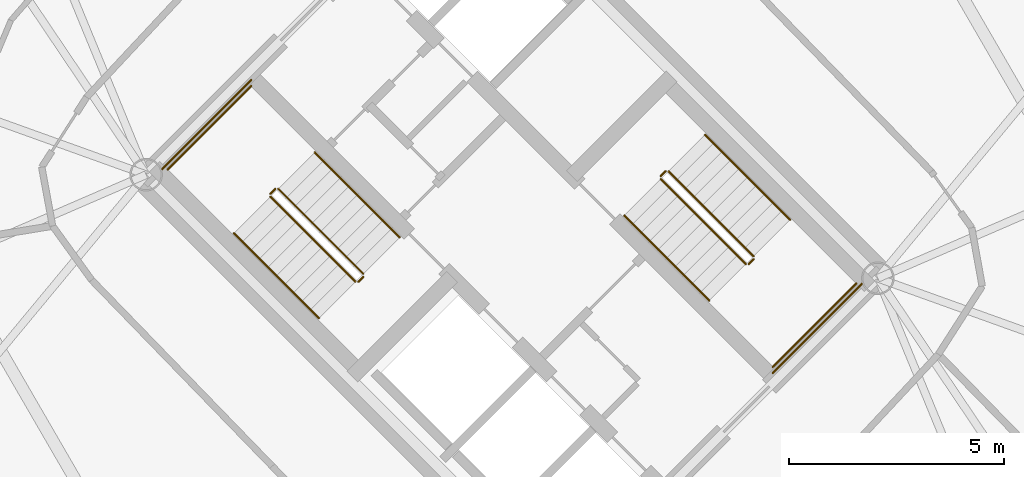
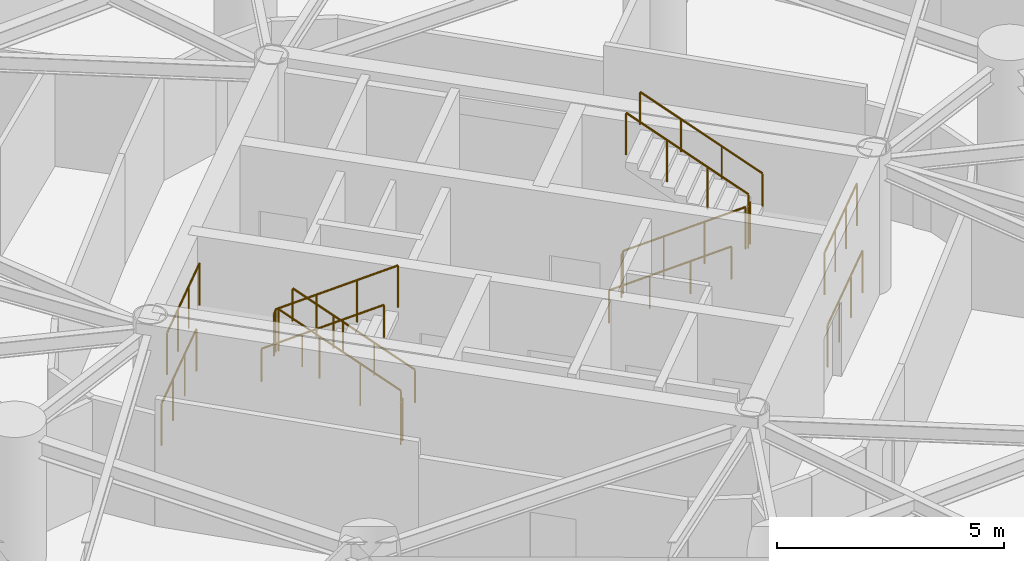
# One storey, part 17 of 17: 16 railings.
"""IFC4 building model written with IfcOpenShell, lengths in metres."""

from ifc_helpers import new_model, si_unit, direction, frame, origin, origin_2d, place, context, subcontext, project, spatial, circle, extrude, material, type_object, element, save


model = new_model("IFC4")

# Units and contexts
model_context = context("Model", 3, precision=1e-05, world=origin(), true_north=direction((0.0, 1.0)))
body_context = subcontext(model_context, "Body", "Model", "MODEL_VIEW")
ifc_project = project(units=[si_unit("LENGTHUNIT", "METRE"), si_unit("AREAUNIT", "SQUARE_METRE"), si_unit("VOLUMEUNIT", "CUBIC_METRE"), si_unit("PLANEANGLEUNIT", "RADIAN"), si_unit("MASSUNIT", "GRAM", prefix="KILO")], contexts=[model_context])

# Site, building, storey
site_placement = place(None, origin())
site = spatial("IfcSite", under=ifc_project, at=site_placement, CompositionType="ELEMENT")
building_placement = place(site_placement, origin())
building = spatial("IfcBuilding", under=site, at=building_placement, Name="Cununo Teusaquillo Station Towers", CompositionType="ELEMENT")
storey_placement = place(building_placement, frame((0.0, 0.0, 125.43994140625)))
storey = spatial("IfcBuildingStorey", under=building, at=storey_placement, Name="L40", CompositionType="ELEMENT", Elevation=125.43994140625)

# Railings
ifc_material_1 = material(Name="Steel EN 10025-2 S355J2", Category="steel")
railing_type_1 = type_object("IfcRailingType", Name="RL-INT-GUARD", PredefinedType="GUARDRAIL", material=ifc_material_1)
railing_1_placement = place(storey_placement, frame((54.03515625, 23.39697265625, 0.169189453125)))
element("IfcRailing", 1, at=railing_1_placement, inside=storey, type_object=railing_type_1, Name="L40 ST-T2-1 stair guard 1", PredefinedType="GUARDRAIL", context=body_context, shape_type="SweptSolid", body=[
    extrude(circle(Radius=0.02392578125, at=origin_2d()), frame((0.0, 0.0, 1.1259765625), z_axis=(-0.60528201841, 0.60528201841, 0.516979067642), x_axis=(-0.707106781187, -0.707106781187, 0.0)), (0.0, 0.0, 1.0), 3.270751953125),
    extrude(circle(Radius=0.02099609375, at=origin_2d()), origin(), (0.0, 0.0, 1.0), 1.101806640625),
    extrude(circle(Radius=0.02099609375, at=origin_2d()), frame((-0.659912109375, 0.659912109375, 0.563720703125)), (0.0, 0.0, 1.0), 1.101806640625),
    extrude(circle(Radius=0.02099609375, at=origin_2d()), frame((-1.31982421875, 1.31982421875, 1.127197265625)), (0.0, 0.0, 1.0), 1.101806640625),
    extrude(circle(Radius=0.02099609375, at=origin_2d()), frame((-1.979736328125, 1.979736328125, 1.69091796875)), (0.0, 0.0, 1.0), 1.101806640625),
])
railing_2_placement = place(storey_placement, frame((51.984619140625, 25.376708984375, 1.860107421875)))
element("IfcRailing", 2, at=railing_2_placement, inside=storey, type_object=railing_type_1, Name="L40 ST-T2-1 stair guard 2", PredefinedType="GUARDRAIL", context=body_context, shape_type="SweptSolid", body=[
    extrude(circle(Radius=0.02392578125, at=origin_2d()), frame((0.0, 0.0, 1.1259765625), z_axis=(-0.707106781187, -0.707106781187, 0.0), x_axis=(0.707106781187, -0.707106781187, 0.0)), (0.0, 0.0, 1.0), 0.159912109375),
    extrude(circle(Radius=0.02099609375, at=origin_2d()), origin(), (0.0, 0.0, 1.0), 1.101806640625),
    extrude(circle(Radius=0.02099609375, at=origin_2d()), frame((-0.113037109375, -0.113037109375, 0.0)), (0.0, 0.0, 1.0), 1.101806640625),
])
railing_3_placement = place(storey_placement, frame((51.426025390625, 27.77392578125, 1.860107421875)))
element("IfcRailing", 3, at=railing_3_placement, inside=storey, type_object=railing_type_1, Name="L40 ST-T2-1 stair guard 3", PredefinedType="GUARDRAIL", context=body_context, shape_type="SweptSolid", body=[
    extrude(circle(Radius=0.02392578125, at=origin_2d()), frame((0.0, 0.0, 1.1259765625), z_axis=(-0.707106781187, -0.707106781187, 0.0), x_axis=(0.707106781187, -0.707106781187, 0.0)), (0.0, 0.0, 1.0), 2.760009765625),
    extrude(circle(Radius=0.02099609375, at=origin_2d()), origin(), (0.0, 0.0, 1.0), 1.101806640625),
    extrude(circle(Radius=0.02099609375, at=origin_2d()), frame((-0.650634765625, -0.650634765625, 0.0)), (0.0, 0.0, 1.0), 1.101806640625),
    extrude(circle(Radius=0.02099609375, at=origin_2d()), frame((-1.301025390625, -1.301025390625, 0.0)), (0.0, 0.0, 1.0), 1.101806640625),
    extrude(circle(Radius=0.02099609375, at=origin_2d()), frame((-1.95166015625, -1.95166015625, 0.0)), (0.0, 0.0, 1.0), 1.101806640625),
])
railing_4_placement = place(storey_placement, frame((51.87158203125, 25.19287109375, 2.029052734375)))
element("IfcRailing", 4, at=railing_4_placement, inside=storey, type_object=railing_type_1, Name="L40 ST-T2-1 stair guard 4", PredefinedType="GUARDRAIL", context=body_context, shape_type="SweptSolid", body=[
    extrude(circle(Radius=0.02392578125, at=origin_2d()), frame((0.0, 0.0, 1.1259765625), z_axis=(0.60528201841, -0.60528201841, 0.516979067642), x_axis=(0.707106781187, 0.707106781187, 0.0)), (0.0, 0.0, 1.0), 3.270751953125),
    extrude(circle(Radius=0.02099609375, at=origin_2d()), origin(), (0.0, 0.0, 1.0), 1.101806640625),
    extrude(circle(Radius=0.02099609375, at=origin_2d()), frame((0.659912109375, -0.659912109375, 0.563720703125)), (0.0, 0.0, 1.0), 1.101806640625),
    extrude(circle(Radius=0.02099609375, at=origin_2d()), frame((1.31982421875, -1.31982421875, 1.127197265625)), (0.0, 0.0, 1.0), 1.101806640625),
    extrude(circle(Radius=0.02099609375, at=origin_2d()), frame((1.979736328125, -1.979736328125, 1.69091796875)), (0.0, 0.0, 1.0), 1.101806640625),
])
railing_5_placement = place(storey_placement, frame((54.03515625, 23.326171875, 0.0)))
element("IfcRailing", 5, at=railing_5_placement, inside=storey, type_object=railing_type_1, Name="L40 ST-T2-1 stair guard 5", PredefinedType="GUARDRAIL", context=body_context, shape_type="SweptSolid", body=[
    extrude(circle(Radius=0.02392578125, at=origin_2d()), frame((0.0, 0.0, 1.1259765625), z_axis=(-0.707106781187, -0.707106781187, 0.0), x_axis=(0.707106781187, -0.707106781187, 0.0)), (0.0, 0.0, 1.0), 0.159912109375),
    extrude(circle(Radius=0.02099609375, at=origin_2d()), origin(), (0.0, 0.0, 1.0), 1.101806640625),
    extrude(circle(Radius=0.02099609375, at=origin_2d()), frame((-0.113037109375, -0.113037109375, 0.0)), (0.0, 0.0, 1.0), 1.101806640625),
])
railing_6_placement = place(storey_placement, frame((51.426025390625, 27.915283203125, 0.0)))
element("IfcRailing", 6, at=railing_6_placement, inside=storey, type_object=railing_type_1, Name="L40 ST-T2-1 stair guard 6", PredefinedType="GUARDRAIL", context=body_context, shape_type="SweptSolid", body=[
    extrude(circle(Radius=0.02392578125, at=origin_2d()), frame((0.0, 0.0, 1.1259765625), z_axis=(-0.707106781187, -0.707106781187, 0.0), x_axis=(0.707106781187, -0.707106781187, 0.0)), (0.0, 0.0, 1.0), 2.9599609375),
    extrude(circle(Radius=0.02099609375, at=origin_2d()), origin(), (0.0, 0.0, 1.0), 1.101806640625),
    extrude(circle(Radius=0.02099609375, at=origin_2d()), frame((-0.69775390625, -0.69775390625, 0.0)), (0.0, 0.0, 1.0), 1.101806640625),
    extrude(circle(Radius=0.02099609375, at=origin_2d()), frame((-1.395263671875, -1.395263671875, 0.0)), (0.0, 0.0, 1.0), 1.101806640625),
    extrude(circle(Radius=0.02099609375, at=origin_2d()), frame((-2.093017578125, -2.093017578125, 0.0)), (0.0, 0.0, 1.0), 1.101806640625),
])
railing_7_placement = place(storey_placement, frame((60.96484375, 25.60302734375, 0.169189453125)))
element("IfcRailing", 7, at=railing_7_placement, inside=storey, type_object=railing_type_1, Name="L40 ST-T2-2 stair guard 1", PredefinedType="GUARDRAIL", context=body_context, shape_type="SweptSolid", body=[
    extrude(circle(Radius=0.02392578125, at=origin_2d()), frame((0.0, 0.0, 1.1259765625), z_axis=(0.60528201841, -0.60528201841, 0.516979067642), x_axis=(0.707106781187, 0.707106781187, 0.0)), (0.0, 0.0, 1.0), 3.270751953125),
    extrude(circle(Radius=0.02099609375, at=origin_2d()), origin(), (0.0, 0.0, 1.0), 1.101806640625),
    extrude(circle(Radius=0.02099609375, at=origin_2d()), frame((0.659912109375, -0.659912109375, 0.563720703125)), (0.0, 0.0, 1.0), 1.101806640625),
    extrude(circle(Radius=0.02099609375, at=origin_2d()), frame((1.31982421875, -1.31982421875, 1.127197265625)), (0.0, 0.0, 1.0), 1.101806640625),
    extrude(circle(Radius=0.02099609375, at=origin_2d()), frame((1.979736328125, -1.979736328125, 1.69091796875)), (0.0, 0.0, 1.0), 1.101806640625),
])
railing_8_placement = place(storey_placement, frame((63.015380859375, 23.623291015625, 1.860107421875)))
element("IfcRailing", 8, at=railing_8_placement, inside=storey, type_object=railing_type_1, Name="L40 ST-T2-2 stair guard 2", PredefinedType="GUARDRAIL", context=body_context, shape_type="SweptSolid", body=[
    extrude(circle(Radius=0.02392578125, at=origin_2d()), frame((0.0, 0.0, 1.1259765625), z_axis=(0.707106781187, 0.707106781187, 0.0), x_axis=(-0.707106781187, 0.707106781187, 0.0)), (0.0, 0.0, 1.0), 0.159912109375),
    extrude(circle(Radius=0.02099609375, at=origin_2d()), origin(), (0.0, 0.0, 1.0), 1.101806640625),
    extrude(circle(Radius=0.02099609375, at=origin_2d()), frame((0.113037109375, 0.113037109375, 0.0)), (0.0, 0.0, 1.0), 1.101806640625),
])
railing_9_placement = place(storey_placement, frame((63.573974609375, 21.22607421875, 1.860107421875)))
element("IfcRailing", 9, at=railing_9_placement, inside=storey, type_object=railing_type_1, Name="L40 ST-T2-2 stair guard 3", PredefinedType="GUARDRAIL", context=body_context, shape_type="SweptSolid", body=[
    extrude(circle(Radius=0.02392578125, at=origin_2d()), frame((0.0, 0.0, 1.1259765625), z_axis=(0.707106781187, 0.707106781187, 0.0), x_axis=(-0.707106781187, 0.707106781187, 0.0)), (0.0, 0.0, 1.0), 2.760009765625),
    extrude(circle(Radius=0.02099609375, at=origin_2d()), origin(), (0.0, 0.0, 1.0), 1.101806640625),
    extrude(circle(Radius=0.02099609375, at=origin_2d()), frame((0.650634765625, 0.650634765625, 0.0)), (0.0, 0.0, 1.0), 1.101806640625),
    extrude(circle(Radius=0.02099609375, at=origin_2d()), frame((1.301025390625, 1.301025390625, 0.0)), (0.0, 0.0, 1.0), 1.101806640625),
    extrude(circle(Radius=0.02099609375, at=origin_2d()), frame((1.95166015625, 1.95166015625, 0.0)), (0.0, 0.0, 1.0), 1.101806640625),
])
railing_10_placement = place(storey_placement, frame((63.12841796875, 23.80712890625, 2.029052734375)))
element("IfcRailing", 10, at=railing_10_placement, inside=storey, type_object=railing_type_1, Name="L40 ST-T2-2 stair guard 4", PredefinedType="GUARDRAIL", context=body_context, shape_type="SweptSolid", body=[
    extrude(circle(Radius=0.02392578125, at=origin_2d()), frame((0.0, 0.0, 1.1259765625), z_axis=(-0.60528201841, 0.60528201841, 0.516979067642), x_axis=(-0.707106781187, -0.707106781187, 0.0)), (0.0, 0.0, 1.0), 3.270751953125),
    extrude(circle(Radius=0.02099609375, at=origin_2d()), origin(), (0.0, 0.0, 1.0), 1.101806640625),
    extrude(circle(Radius=0.02099609375, at=origin_2d()), frame((-0.659912109375, 0.659912109375, 0.563720703125)), (0.0, 0.0, 1.0), 1.101806640625),
    extrude(circle(Radius=0.02099609375, at=origin_2d()), frame((-1.31982421875, 1.31982421875, 1.127197265625)), (0.0, 0.0, 1.0), 1.101806640625),
    extrude(circle(Radius=0.02099609375, at=origin_2d()), frame((-1.979736328125, 1.979736328125, 1.69091796875)), (0.0, 0.0, 1.0), 1.101806640625),
])
railing_11_placement = place(storey_placement, frame((60.96484375, 25.673828125, 0.0)))
element("IfcRailing", 11, at=railing_11_placement, inside=storey, type_object=railing_type_1, Name="L40 ST-T2-2 stair guard 5", PredefinedType="GUARDRAIL", context=body_context, shape_type="SweptSolid", body=[
    extrude(circle(Radius=0.02392578125, at=origin_2d()), frame((0.0, 0.0, 1.1259765625), z_axis=(0.707106781187, 0.707106781187, 0.0), x_axis=(-0.707106781187, 0.707106781187, 0.0)), (0.0, 0.0, 1.0), 0.159912109375),
    extrude(circle(Radius=0.02099609375, at=origin_2d()), origin(), (0.0, 0.0, 1.0), 1.101806640625),
    extrude(circle(Radius=0.02099609375, at=origin_2d()), frame((0.113037109375, 0.113037109375, 0.0)), (0.0, 0.0, 1.0), 1.101806640625),
])
railing_12_placement = place(storey_placement, frame((63.573974609375, 21.084716796875, 0.0)))
element("IfcRailing", 12, at=railing_12_placement, inside=storey, type_object=railing_type_1, Name="L40 ST-T2-2 stair guard 6", PredefinedType="GUARDRAIL", context=body_context, shape_type="SweptSolid", body=[
    extrude(circle(Radius=0.02392578125, at=origin_2d()), frame((0.0, 0.0, 1.1259765625), z_axis=(0.707106781187, 0.707106781187, 0.0), x_axis=(-0.707106781187, 0.707106781187, 0.0)), (0.0, 0.0, 1.0), 2.9599609375),
    extrude(circle(Radius=0.02099609375, at=origin_2d()), origin(), (0.0, 0.0, 1.0), 1.101806640625),
    extrude(circle(Radius=0.02099609375, at=origin_2d()), frame((0.69775390625, 0.69775390625, 0.0)), (0.0, 0.0, 1.0), 1.101806640625),
    extrude(circle(Radius=0.02099609375, at=origin_2d()), frame((1.395263671875, 1.395263671875, 0.0)), (0.0, 0.0, 1.0), 1.101806640625),
    extrude(circle(Radius=0.02099609375, at=origin_2d()), frame((2.093017578125, 2.093017578125, 0.0)), (0.0, 0.0, 1.0), 1.101806640625),
])
ifc_material_2 = material(Name="Steel EN 10025-2 S355J2", Category="steel")
railing_type_2 = type_object("IfcRailingType", Name="RL-INT-HRAIL", PredefinedType="HANDRAIL", material=ifc_material_2)
railing_13_placement = place(storey_placement, frame((54.8837890625, 24.245361328125, 0.169189453125)))
element("IfcRailing", 13, at=railing_13_placement, inside=storey, type_object=railing_type_2, Name="L40 ST-T2-1 stair handrail 1", PredefinedType="HANDRAIL", context=body_context, shape_type="SweptSolid", body=[
    extrude(circle(Radius=0.02392578125, at=origin_2d()), frame((0.0, 0.0, 0.8759765625), z_axis=(-0.605301965407, 0.605301965407, 0.516932356647), x_axis=(-0.707106781187, -0.707106781187, 0.0)), (0.0, 0.0, 1.0), 3.27099609375),
    extrude(circle(Radius=0.02099609375, at=origin_2d()), origin(), (0.0, 0.0, 1.0), 0.851806640625),
    extrude(circle(Radius=0.02099609375, at=origin_2d()), frame((-0.659912109375, 0.659912109375, 0.563720703125)), (0.0, 0.0, 1.0), 0.851806640625),
    extrude(circle(Radius=0.02099609375, at=origin_2d()), frame((-1.320068359375, 1.320068359375, 1.127197265625)), (0.0, 0.0, 1.0), 0.851806640625),
    extrude(circle(Radius=0.02099609375, at=origin_2d()), frame((-1.97998046875, 1.97998046875, 1.69091796875)), (0.0, 0.0, 1.0), 0.851806640625),
])
for number, where, name in (
    (14, (51.02294921875, 24.344482421875, 2.029052734375), "L40 ST-T2-1 stair handrail 2"),
    (15, (60.1162109375, 24.754638671875, 0.169189453125), "L40 ST-T2-2 stair handrail 1"),
):
    element("IfcRailing", number, at=place(storey_placement, frame(where)), inside=storey, type_object=railing_type_2, Name=name, PredefinedType="HANDRAIL", context=body_context, shape_type="SweptSolid", body=[
        extrude(circle(Radius=0.02392578125, at=origin_2d()), frame((0.0, 0.0, 0.8759765625), z_axis=(0.605301965407, -0.605301965407, 0.516932356647), x_axis=(0.707106781187, 0.707106781187, 0.0)), (0.0, 0.0, 1.0), 3.27099609375),
        extrude(circle(Radius=0.02099609375, at=origin_2d()), origin(), (0.0, 0.0, 1.0), 0.851806640625),
        extrude(circle(Radius=0.02099609375, at=origin_2d()), frame((0.659912109375, -0.659912109375, 0.563720703125)), (0.0, 0.0, 1.0), 0.851806640625),
        extrude(circle(Radius=0.02099609375, at=origin_2d()), frame((1.320068359375, -1.320068359375, 1.127197265625)), (0.0, 0.0, 1.0), 0.851806640625),
        extrude(circle(Radius=0.02099609375, at=origin_2d()), frame((1.97998046875, -1.97998046875, 1.69091796875)), (0.0, 0.0, 1.0), 0.851806640625),
    ])
railing_14_placement = place(storey_placement, frame((63.97705078125, 24.655517578125, 2.029052734375)))
element("IfcRailing", 16, at=railing_14_placement, inside=storey, type_object=railing_type_2, Name="L40 ST-T2-2 stair handrail 2", PredefinedType="HANDRAIL", context=body_context, shape_type="SweptSolid", body=[
    extrude(circle(Radius=0.02392578125, at=origin_2d()), frame((0.0, 0.0, 0.8759765625), z_axis=(-0.605301965407, 0.605301965407, 0.516932356647), x_axis=(-0.707106781187, -0.707106781187, 0.0)), (0.0, 0.0, 1.0), 3.27099609375),
    extrude(circle(Radius=0.02099609375, at=origin_2d()), origin(), (0.0, 0.0, 1.0), 0.851806640625),
    extrude(circle(Radius=0.02099609375, at=origin_2d()), frame((-0.659912109375, 0.659912109375, 0.563720703125)), (0.0, 0.0, 1.0), 0.851806640625),
    extrude(circle(Radius=0.02099609375, at=origin_2d()), frame((-1.320068359375, 1.320068359375, 1.127197265625)), (0.0, 0.0, 1.0), 0.851806640625),
    extrude(circle(Radius=0.02099609375, at=origin_2d()), frame((-1.97998046875, 1.97998046875, 1.69091796875)), (0.0, 0.0, 1.0), 0.851806640625),
])

save(model, "model.ifc")
